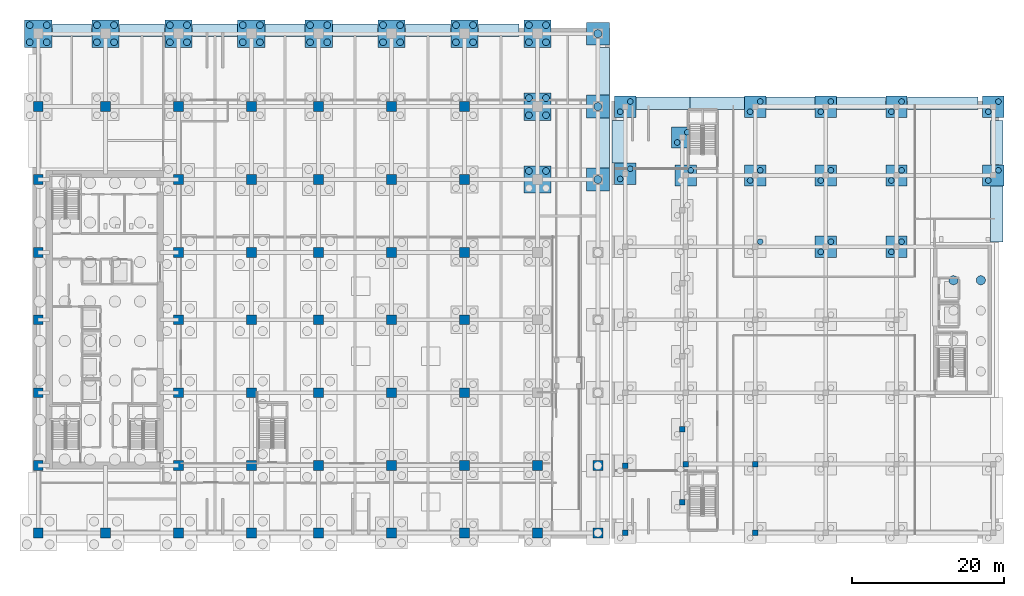
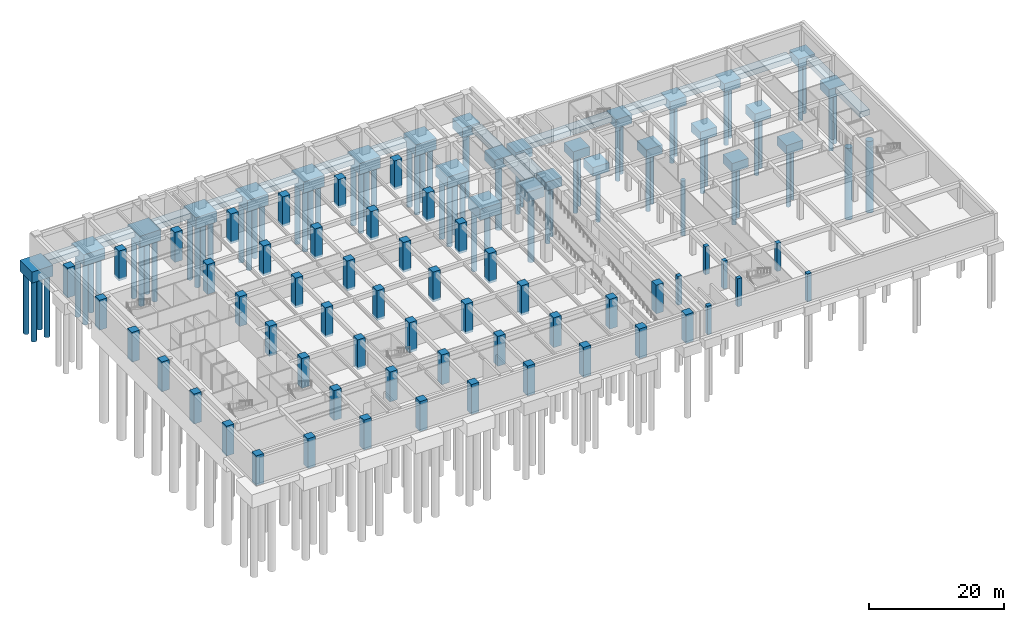
# One storey, part 3 of 20: 71 piles, 55 columns, 44 footings.
"""IFC4 building model written with IfcOpenShell, lengths in metres."""

from ifc_helpers import new_model, si_unit, direction, frame, origin, origin_2d, place, context, subcontext, project, spatial, rectangle, circle, extrude, material, material_profile, profile_set, type_object, element, save


model = new_model("IFC4")

# Units and contexts
model_context = context("Model", 3, precision=1e-05, world=origin(), true_north=direction((0.0, 1.0)))
body_context = subcontext(model_context, "Body", "Model", "MODEL_VIEW")
ifc_project = project(units=[si_unit("LENGTHUNIT", "METRE"), si_unit("AREAUNIT", "SQUARE_METRE"), si_unit("VOLUMEUNIT", "CUBIC_METRE"), si_unit("PLANEANGLEUNIT", "RADIAN"), si_unit("MASSUNIT", "GRAM", prefix="KILO")], contexts=[model_context])

# Site, building, storey
site_placement = place(None, origin())
site = spatial("IfcSite", under=ifc_project, at=site_placement, CompositionType="ELEMENT")
building_placement = place(site_placement, origin())
building = spatial("IfcBuilding", under=site, at=building_placement, Name="Norrvale University Quadrangle", CompositionType="ELEMENT")
storey_placement = place(building_placement, frame((0.0, 0.0, -5.0)))
storey = spatial("IfcBuildingStorey", under=building, at=storey_placement, Name="B01", CompositionType="ELEMENT", Elevation=-5.0)

# Footings
ifc_material_1 = material(Name="Concrete C50/60", Category="concrete")
footing_type_1 = type_object("IfcFootingType", Name="Footing Cap 3000x3000x1800", PredefinedType="PILE_CAP", material=ifc_material_1)
for number, where, z_axis, x_axis, name in (
    (1, (74.39990234375, 47.25, -2.22021484375), (0.0, 0.0, 1.0), (1.0, 0.0, 0.0), "Tower Pile Cap 060"),
    (2, (74.39990234375, 56.85009765625, -2.22021484375), (0.0, 0.0, 1.0), (1.0, 0.0, 0.0), "Tower Pile Cap 061"),
    (3, (74.39990234375, 66.449951171875, -2.22021484375), (0.0, 0.0, 1.0), (1.0, 0.0, 0.0), "Tower Pile Cap 062"),
):
    element("IfcFooting", number, at=place(storey_placement, frame(where, z_axis=z_axis, x_axis=x_axis)), inside=storey, type_object=footing_type_1, Name=name, PredefinedType="PILE_CAP", context=body_context, shape_type="SweptSolid", body=[
        extrude(rectangle(XDim=3.0, YDim=3.0, at=origin_2d()), origin(), (0.0, 0.0, 1.0), 1.800048828125),
    ])
footing_type_2 = type_object("IfcFootingType", Name="Footing Cap 3600x3600x2000", PredefinedType="PILE_CAP", material=ifc_material_1)
for number, where, z_axis, x_axis, name in (
    (4, (0.75, 66.449951171875, -2.419921875), (0.0, 0.0, 1.0), (1.0, 0.0, 0.0), "Tower Pile Cap 003"),
    (5, (9.60009765625, 66.449951171875, -2.419921875), (0.0, 0.0, 1.0), (1.0, 0.0, 0.0), "Tower Pile Cap 006"),
    (6, (19.199951171875, 66.449951171875, -2.419921875), (0.0, 0.0, 1.0), (1.0, 0.0, 0.0), "Tower Pile Cap 014"),
    (7, (28.800048828125, 66.449951171875, -2.419921875), (0.0, 0.0, 1.0), (1.0, 0.0, 0.0), "Tower Pile Cap 022"),
    (8, (37.64990234375, 66.449951171875, -2.419921875), (0.0, 0.0, 1.0), (1.0, 0.0, 0.0), "Tower Pile Cap 030"),
    (9, (47.25, 66.449951171875, -2.419921875), (0.0, 0.0, 1.0), (1.0, 0.0, 0.0), "Tower Pile Cap 038"),
    (10, (56.85009765625, 66.449951171875, -2.419921875), (0.0, 0.0, 1.0), (1.0, 0.0, 0.0), "Tower Pile Cap 046"),
    (11, (66.449951171875, 47.25, -2.419921875), (0.0, 0.0, 1.0), (1.0, 0.0, 0.0), "Tower Pile Cap 052"),
    (12, (66.449951171875, 56.85009765625, -2.419921875), (0.0, 0.0, 1.0), (1.0, 0.0, 0.0), "Tower Pile Cap 053"),
    (13, (66.449951171875, 66.449951171875, -2.419921875), (0.0, 0.0, 1.0), (1.0, 0.0, 0.0), "Tower Pile Cap 054"),
):
    element("IfcFooting", number, at=place(storey_placement, frame(where, z_axis=z_axis, x_axis=x_axis)), inside=storey, type_object=footing_type_2, Name=name, PredefinedType="PILE_CAP", context=body_context, shape_type="SweptSolid", body=[
        extrude(rectangle(XDim=3.60009765625, YDim=3.60009765625, at=origin_2d()), origin(), (0.0, 0.0, 1.0), 2.0),
    ])
footing_type_3 = type_object("IfcFootingType", Name="Footing Lib Cap 2800x2800", PredefinedType="PILE_CAP", material=ifc_material_1)
for number, where, z_axis, x_axis, name in (
    (14, (78.0, 48.0, -2.02001953125), (0.0, 0.0, 1.0), (1.0, 0.0, 0.0), "Library Pile Cap 068"),
    (15, (78.0, 56.85009765625, -2.02001953125), (0.0, 0.0, 1.0), (1.0, 0.0, 0.0), "Library Pile Cap 069"),
    (16, (85.5, 52.800048828125, -2.02001953125), (0.0, 0.0, 1.0), (1.0, 0.0, 0.0), "Library Pile Cap 075"),
    (17, (85.949951171875, 47.800048828125, -2.02001953125), (0.0, 0.0, 1.0), (1.0, 0.0, 0.0), "Library Pile Cap 080"),
    (18, (95.10009765625, 47.800048828125, -2.02001953125), (0.0, 0.0, 1.0), (1.0, 0.0, 0.0), "Library Pile Cap 086"),
    (19, (95.10009765625, 56.85009765625, -2.02001953125), (0.0, 0.0, 1.0), (1.0, 0.0, 0.0), "Library Pile Cap 087"),
    (20, (104.39990234375, 38.39990234375, -2.02001953125), (0.0, 0.0, 1.0), (1.0, 0.0, 0.0), "Library Pile Cap 092"),
    (21, (104.39990234375, 47.800048828125, -2.02001953125), (0.0, 0.0, 1.0), (1.0, 0.0, 0.0), "Library Pile Cap 093"),
    (22, (104.39990234375, 56.85009765625, -2.02001953125), (0.0, 0.0, 1.0), (1.0, 0.0, 0.0), "Library Pile Cap 094"),
    (23, (113.699951171875, 38.39990234375, -2.02001953125), (0.0, 0.0, 1.0), (1.0, 0.0, 0.0), "Library Pile Cap 099"),
    (24, (113.699951171875, 47.800048828125, -2.02001953125), (0.0, 0.0, 1.0), (1.0, 0.0, 0.0), "Library Pile Cap 100"),
    (25, (113.699951171875, 56.85009765625, -2.02001953125), (0.0, 0.0, 1.0), (1.0, 0.0, 0.0), "Library Pile Cap 101"),
    (26, (126.449951171875, 47.800048828125, -2.02001953125), (0.0, 0.0, 1.0), (1.0, 0.0, 0.0), "Library Pile Cap 104"),
    (27, (126.449951171875, 56.85009765625, -2.02001953125), (0.0, 0.0, 1.0), (1.0, 0.0, 0.0), "Library Pile Cap 105"),
):
    element("IfcFooting", number, at=place(storey_placement, frame(where, z_axis=z_axis, x_axis=x_axis)), inside=storey, type_object=footing_type_3, Name=name, PredefinedType="PILE_CAP", context=body_context, shape_type="SweptSolid", body=[
        extrude(rectangle(XDim=2.800048828125, YDim=2.800048828125, at=origin_2d()), origin(), (0.0, 0.0, 1.0), 1.60009765625),
    ])
footing_type_4 = type_object("IfcFootingType", Name="Footing Strip 1600x1000", PredefinedType="STRIP_FOOTING", material=ifc_material_1)
footing_1_placement = place(storey_placement, frame((5.18994140625, 66.89990234375, -1.419921875), z_axis=(0.0, 0.0, 1.0), x_axis=(1.0, 0.0, 0.0)))
element("IfcFooting", 28, at=footing_1_placement, inside=storey, type_object=footing_type_4, Name="Perimeter Strip Footing FS1-08", PredefinedType="STRIP_FOOTING", context=body_context, shape_type="SweptSolid", body=[
    extrude(rectangle(XDim=5.179931640625, YDim=1.60009765625, at=origin_2d()), origin(), (0.0, 0.0, 1.0), 1.0),
])
for number, where, z_axis, x_axis, name in (
    (29, (14.39990234375, 66.89990234375, -1.419921875), (0.0, 0.0, 1.0), (1.0, 0.0, 0.0), "Perimeter Strip Footing FS1-09"),
    (30, (24.0, 66.89990234375, -1.419921875), (0.0, 0.0, 1.0), (1.0, 0.0, 0.0), "Perimeter Strip Footing FS1-10"),
):
    element("IfcFooting", number, at=place(storey_placement, frame(where, z_axis=z_axis, x_axis=x_axis)), inside=storey, type_object=footing_type_4, Name=name, PredefinedType="STRIP_FOOTING", context=body_context, shape_type="SweptSolid", body=[
        extrude(rectangle(XDim=5.9599609375, YDim=1.60009765625, at=origin_2d()), origin(), (0.0, 0.0, 1.0), 1.0),
    ])
footing_2_placement = place(storey_placement, frame((33.22509765625, 66.89990234375, -1.419921875), z_axis=(0.0, 0.0, 1.0), x_axis=(1.0, 0.0, 0.0)))
element("IfcFooting", 31, at=footing_2_placement, inside=storey, type_object=footing_type_4, Name="Perimeter Strip Footing FS1-11", PredefinedType="STRIP_FOOTING", context=body_context, shape_type="SweptSolid", body=[
    extrude(rectangle(XDim=5.2099609375, YDim=1.60009765625, at=origin_2d()), origin(), (0.0, 0.0, 1.0), 1.0),
])
for number, where, z_axis, x_axis, name in (
    (32, (42.449951171875, 66.89990234375, -1.419921875), (0.0, 0.0, 1.0), (1.0, 0.0, 0.0), "Perimeter Strip Footing FS1-12"),
    (33, (52.050048828125, 66.89990234375, -1.419921875), (0.0, 0.0, 1.0), (1.0, 0.0, 0.0), "Perimeter Strip Footing FS1-13"),
):
    element("IfcFooting", number, at=place(storey_placement, frame(where, z_axis=z_axis, x_axis=x_axis)), inside=storey, type_object=footing_type_4, Name=name, PredefinedType="STRIP_FOOTING", context=body_context, shape_type="SweptSolid", body=[
        extrude(rectangle(XDim=5.9599609375, YDim=1.60009765625, at=origin_2d()), origin(), (0.0, 0.0, 1.0), 1.0),
    ])
footing_3_placement = place(storey_placement, frame((61.3349609375, 66.89990234375, -1.419921875), z_axis=(0.0, 0.0, 1.0), x_axis=(1.0, 0.0, 0.0)))
element("IfcFooting", 34, at=footing_3_placement, inside=storey, type_object=footing_type_4, Name="Perimeter Strip Footing FS1-14", PredefinedType="STRIP_FOOTING", context=body_context, shape_type="SweptSolid", body=[
    extrude(rectangle(XDim=5.330078125, YDim=1.60009765625, at=origin_2d()), origin(), (0.0, 0.0, 1.0), 1.0),
])
footing_4_placement = place(storey_placement, frame((75.14990234375, 52.050048828125, -1.419921875), z_axis=(0.0, 0.0, 1.0), x_axis=(0.0, 1.0, 0.0)))
element("IfcFooting", 35, at=footing_4_placement, inside=storey, type_object=footing_type_4, Name="Perimeter Strip Footing FS1-23", PredefinedType="STRIP_FOOTING", context=body_context, shape_type="SweptSolid", body=[
    extrude(rectangle(XDim=6.56005859375, YDim=1.60009765625, at=origin_2d()), origin(), (0.0, 0.0, 1.0), 1.0),
])
footing_5_placement = place(storey_placement, frame((75.14990234375, 61.485107421875, -1.419921875), z_axis=(0.0, 0.0, 1.0), x_axis=(0.0, 1.0, 0.0)))
element("IfcFooting", 36, at=footing_5_placement, inside=storey, type_object=footing_type_4, Name="Perimeter Strip Footing FS1-24", PredefinedType="STRIP_FOOTING", context=body_context, shape_type="SweptSolid", body=[
    extrude(rectangle(XDim=6.22998046875, YDim=1.60009765625, at=origin_2d()), origin(), (0.0, 0.0, 1.0), 1.0),
])
for number, where, z_axis, x_axis, name in (
    (37, (82.985107421875, 57.300048828125, -1.419921875), (0.0, 0.0, 1.0), (1.0, 0.0, 0.0), "Perimeter Strip Footing FS1-30"),
    (38, (90.114990234375, 57.300048828125, -1.419921875), (0.0, 0.0, 1.0), (1.0, 0.0, 0.0), "Perimeter Strip Footing FS1-31"),
):
    element("IfcFooting", number, at=place(storey_placement, frame(where, z_axis=z_axis, x_axis=x_axis)), inside=storey, type_object=footing_type_4, Name=name, PredefinedType="STRIP_FOOTING", context=body_context, shape_type="SweptSolid", body=[
        extrude(rectangle(XDim=7.1298828125, YDim=1.60009765625, at=origin_2d()), origin(), (0.0, 0.0, 1.0), 1.0),
    ])
for number, where, z_axis, x_axis, name in (
    (39, (99.75, 57.300048828125, -1.419921875), (0.0, 0.0, 1.0), (1.0, 0.0, 0.0), "Perimeter Strip Footing FS1-32"),
    (40, (109.050048828125, 57.300048828125, -1.419921875), (0.0, 0.0, 1.0), (1.0, 0.0, 0.0), "Perimeter Strip Footing FS1-33"),
):
    element("IfcFooting", number, at=place(storey_placement, frame(where, z_axis=z_axis, x_axis=x_axis)), inside=storey, type_object=footing_type_4, Name=name, PredefinedType="STRIP_FOOTING", context=body_context, shape_type="SweptSolid", body=[
        extrude(rectangle(XDim=6.4599609375, YDim=1.60009765625, at=origin_2d()), origin(), (0.0, 0.0, 1.0), 1.0),
    ])
footing_6_placement = place(storey_placement, frame((119.760009765625, 57.300048828125, -1.419921875), z_axis=(0.0, 0.0, 1.0), x_axis=(1.0, 0.0, 0.0)))
element("IfcFooting", 41, at=footing_6_placement, inside=storey, type_object=footing_type_4, Name="Perimeter Strip Footing FS1-34", PredefinedType="STRIP_FOOTING", context=body_context, shape_type="SweptSolid", body=[
    extrude(rectangle(XDim=9.280029296875, YDim=1.60009765625, at=origin_2d()), origin(), (0.0, 0.0, 1.0), 1.0),
])
footing_7_placement = place(storey_placement, frame((77.050048828125, 52.2099609375, -1.419921875), z_axis=(0.0, 0.0, 1.0), x_axis=(0.0, 1.0, 0.0)))
element("IfcFooting", 42, at=footing_7_placement, inside=storey, type_object=footing_type_4, Name="Perimeter Strip Footing FS1-40", PredefinedType="STRIP_FOOTING", context=body_context, shape_type="SweptSolid", body=[
    extrude(rectangle(XDim=5.580078125, YDim=1.60009765625, at=origin_2d()), origin(), (0.0, 0.0, 1.0), 1.0),
])
footing_8_placement = place(storey_placement, frame((126.89990234375, 42.699951171875, -1.419921875), z_axis=(0.0, 0.0, 1.0), x_axis=(0.0, 1.0, 0.0)))
element("IfcFooting", 43, at=footing_8_placement, inside=storey, type_object=footing_type_4, Name="Perimeter Strip Footing FS1-43", PredefinedType="STRIP_FOOTING", context=body_context, shape_type="SweptSolid", body=[
    extrude(rectangle(XDim=7.360107421875, YDim=1.60009765625, at=origin_2d()), origin(), (0.0, 0.0, 1.0), 1.0),
])
footing_9_placement = place(storey_placement, frame((126.89990234375, 52.110107421875, -1.419921875), z_axis=(0.0, 0.0, 1.0), x_axis=(0.0, 1.0, 0.0)))
element("IfcFooting", 44, at=footing_9_placement, inside=storey, type_object=footing_type_4, Name="Perimeter Strip Footing FS1-44", PredefinedType="STRIP_FOOTING", context=body_context, shape_type="SweptSolid", body=[
    extrude(rectangle(XDim=5.780029296875, YDim=1.60009765625, at=origin_2d()), origin(), (0.0, 0.0, 1.0), 1.0),
])

# Piles
ifc_material_profile_1 = material_profile(ifc_material_1, circle(Radius=0.52490234375, at=origin_2d()), Name="Concrete C50/60")
ifc_profile_set_1 = profile_set([ifc_material_profile_1], Name="Concrete C50/60")
pile_type_1 = type_object("IfcPileType", Name="Pile Caisson 1050", PredefinedType="BORED", material=ifc_profile_set_1)
for number, where, z_axis, x_axis, name in (
    (45, (74.39990234375, 47.25, -2.219970703125), (0.0, 0.0, -1.0), (1.0, 0.0, 0.0), "Tower Caisson Pile 270"),
    (46, (74.39990234375, 56.85009765625, -2.219970703125), (0.0, 0.0, -1.0), (1.0, 0.0, 0.0), "Tower Caisson Pile 271"),
    (47, (74.39990234375, 66.449951171875, -2.219970703125), (0.0, 0.0, -1.0), (1.0, 0.0, 0.0), "Tower Caisson Pile 272"),
):
    element("IfcPile", number, at=place(storey_placement, frame(where, z_axis=z_axis, x_axis=x_axis)), inside=storey, type_object=pile_type_1, Name=name, PredefinedType="BORED", context=body_context, shape_type="SweptSolid", body=[
        extrude(circle(Radius=0.52490234375, at=origin_2d()), origin(), (0.0, 0.0, 1.0), 12.0),
    ])
ifc_material_profile_2 = material_profile(ifc_material_1, circle(Radius=0.60009765625, at=origin_2d()), Name="Concrete C50/60")
ifc_profile_set_2 = profile_set([ifc_material_profile_2], Name="Concrete C50/60")
pile_type_2 = type_object("IfcPileType", Name="Pile Caisson 1200", PredefinedType="BORED", material=ifc_profile_set_2)
for number, where, z_axis, x_axis, name in (
    (48, (121.199951171875, 34.0, -1.800048828125), (0.0, 0.0, -1.0), (1.0, 0.0, 0.0), "Library Core Caisson Pile P02-044"),
    (49, (124.800048828125, 34.0, -1.800048828125), (0.0, 0.0, -1.0), (1.0, 0.0, 0.0), "Library Core Caisson Pile P02-048"),
):
    element("IfcPile", number, at=place(storey_placement, frame(where, z_axis=z_axis, x_axis=x_axis)), inside=storey, type_object=pile_type_2, Name=name, PredefinedType="BORED", context=body_context, shape_type="SweptSolid", body=[
        extrude(circle(Radius=0.60009765625, at=origin_2d()), origin(), (0.0, 0.0, 1.0), 13.0),
    ])
ifc_material_profile_3 = material_profile(ifc_material_1, circle(Radius=0.449951171875, at=origin_2d()), Name="Concrete C50/60")
ifc_profile_set_3 = profile_set([ifc_material_profile_3], Name="Concrete C50/60")
pile_type_3 = type_object("IfcPileType", Name="Pile Caisson 900", PredefinedType="BORED", material=ifc_profile_set_3)
for number, where, z_axis, x_axis, name in (
    (50, (-0.375, 65.324951171875, -2.419921875), (0.0, 0.0, -1.0), (1.0, 0.0, 0.0), "Tower Caisson Pile 057"),
    (51, (1.875, 65.324951171875, -2.419921875), (0.0, 0.0, -1.0), (1.0, 0.0, 0.0), "Tower Caisson Pile 058"),
    (52, (-0.375, 67.574951171875, -2.419921875), (0.0, 0.0, -1.0), (1.0, 0.0, 0.0), "Tower Caisson Pile 059"),
    (53, (1.875, 67.574951171875, -2.419921875), (0.0, 0.0, -1.0), (1.0, 0.0, 0.0), "Tower Caisson Pile 060"),
    (54, (8.47509765625, 65.324951171875, -2.419921875), (0.0, 0.0, -1.0), (1.0, 0.0, 0.0), "Tower Caisson Pile 069"),
    (55, (10.72509765625, 65.324951171875, -2.419921875), (0.0, 0.0, -1.0), (1.0, 0.0, 0.0), "Tower Caisson Pile 070"),
    (56, (8.47509765625, 67.574951171875, -2.419921875), (0.0, 0.0, -1.0), (1.0, 0.0, 0.0), "Tower Caisson Pile 071"),
    (57, (10.72509765625, 67.574951171875, -2.419921875), (0.0, 0.0, -1.0), (1.0, 0.0, 0.0), "Tower Caisson Pile 072"),
    (58, (18.074951171875, 65.324951171875, -2.419921875), (0.0, 0.0, -1.0), (1.0, 0.0, 0.0), "Tower Caisson Pile 101"),
    (59, (20.324951171875, 65.324951171875, -2.419921875), (0.0, 0.0, -1.0), (1.0, 0.0, 0.0), "Tower Caisson Pile 102"),
    (60, (18.074951171875, 67.574951171875, -2.419921875), (0.0, 0.0, -1.0), (1.0, 0.0, 0.0), "Tower Caisson Pile 103"),
    (61, (20.324951171875, 67.574951171875, -2.419921875), (0.0, 0.0, -1.0), (1.0, 0.0, 0.0), "Tower Caisson Pile 104"),
    (62, (27.675048828125, 65.324951171875, -2.419921875), (0.0, 0.0, -1.0), (1.0, 0.0, 0.0), "Tower Caisson Pile 133"),
    (63, (29.925048828125, 65.324951171875, -2.419921875), (0.0, 0.0, -1.0), (1.0, 0.0, 0.0), "Tower Caisson Pile 134"),
    (64, (27.675048828125, 67.574951171875, -2.419921875), (0.0, 0.0, -1.0), (1.0, 0.0, 0.0), "Tower Caisson Pile 135"),
    (65, (29.925048828125, 67.574951171875, -2.419921875), (0.0, 0.0, -1.0), (1.0, 0.0, 0.0), "Tower Caisson Pile 136"),
    (66, (36.52490234375, 65.324951171875, -2.419921875), (0.0, 0.0, -1.0), (1.0, 0.0, 0.0), "Tower Caisson Pile 165"),
    (67, (38.77490234375, 65.324951171875, -2.419921875), (0.0, 0.0, -1.0), (1.0, 0.0, 0.0), "Tower Caisson Pile 166"),
    (68, (36.52490234375, 67.574951171875, -2.419921875), (0.0, 0.0, -1.0), (1.0, 0.0, 0.0), "Tower Caisson Pile 167"),
    (69, (38.77490234375, 67.574951171875, -2.419921875), (0.0, 0.0, -1.0), (1.0, 0.0, 0.0), "Tower Caisson Pile 168"),
    (70, (46.125, 65.324951171875, -2.419921875), (0.0, 0.0, -1.0), (1.0, 0.0, 0.0), "Tower Caisson Pile 197"),
    (71, (48.375, 65.324951171875, -2.419921875), (0.0, 0.0, -1.0), (1.0, 0.0, 0.0), "Tower Caisson Pile 198"),
    (72, (46.125, 67.574951171875, -2.419921875), (0.0, 0.0, -1.0), (1.0, 0.0, 0.0), "Tower Caisson Pile 199"),
    (73, (48.375, 67.574951171875, -2.419921875), (0.0, 0.0, -1.0), (1.0, 0.0, 0.0), "Tower Caisson Pile 200"),
    (74, (55.72509765625, 65.324951171875, -2.419921875), (0.0, 0.0, -1.0), (1.0, 0.0, 0.0), "Tower Caisson Pile 229"),
    (75, (57.97509765625, 65.324951171875, -2.419921875), (0.0, 0.0, -1.0), (1.0, 0.0, 0.0), "Tower Caisson Pile 230"),
    (76, (55.72509765625, 67.574951171875, -2.419921875), (0.0, 0.0, -1.0), (1.0, 0.0, 0.0), "Tower Caisson Pile 231"),
    (77, (57.97509765625, 67.574951171875, -2.419921875), (0.0, 0.0, -1.0), (1.0, 0.0, 0.0), "Tower Caisson Pile 232"),
    (78, (65.324951171875, 48.375, -2.419921875), (0.0, 0.0, -1.0), (1.0, 0.0, 0.0), "Tower Caisson Pile 255"),
    (79, (67.574951171875, 48.375, -2.419921875), (0.0, 0.0, -1.0), (1.0, 0.0, 0.0), "Tower Caisson Pile 256"),
    (80, (65.324951171875, 55.72509765625, -2.419921875), (0.0, 0.0, -1.0), (1.0, 0.0, 0.0), "Tower Caisson Pile 257"),
    (81, (67.574951171875, 55.72509765625, -2.419921875), (0.0, 0.0, -1.0), (1.0, 0.0, 0.0), "Tower Caisson Pile 258"),
    (82, (65.324951171875, 57.97509765625, -2.419921875), (0.0, 0.0, -1.0), (1.0, 0.0, 0.0), "Tower Caisson Pile 259"),
    (83, (67.574951171875, 57.97509765625, -2.419921875), (0.0, 0.0, -1.0), (1.0, 0.0, 0.0), "Tower Caisson Pile 260"),
    (84, (65.324951171875, 65.324951171875, -2.419921875), (0.0, 0.0, -1.0), (1.0, 0.0, 0.0), "Tower Caisson Pile 261"),
    (85, (67.574951171875, 65.324951171875, -2.419921875), (0.0, 0.0, -1.0), (1.0, 0.0, 0.0), "Tower Caisson Pile 262"),
    (86, (65.324951171875, 67.574951171875, -2.419921875), (0.0, 0.0, -1.0), (1.0, 0.0, 0.0), "Tower Caisson Pile 263"),
    (87, (67.574951171875, 67.574951171875, -2.419921875), (0.0, 0.0, -1.0), (1.0, 0.0, 0.0), "Tower Caisson Pile 264"),
):
    element("IfcPile", number, at=place(storey_placement, frame(where, z_axis=z_axis, x_axis=x_axis)), inside=storey, type_object=pile_type_3, Name=name, PredefinedType="BORED", context=body_context, shape_type="SweptSolid", body=[
        extrude(circle(Radius=0.449951171875, at=origin_2d()), origin(), (0.0, 0.0, 1.0), 11.0),
    ])
ifc_material_profile_4 = material_profile(ifc_material_1, circle(Radius=0.375, at=origin_2d()), Name="Concrete C50/60")
ifc_profile_set_4 = profile_set([ifc_material_profile_4], Name="Concrete C50/60")
pile_type_4 = type_object("IfcPileType", Name="Pile Lib Bored 750", PredefinedType="BORED", material=ifc_profile_set_4)
for number, where, z_axis, x_axis, name in (
    (88, (77.330078125, 47.330078125, -2.02001953125), (0.0, 0.0, -1.0), (1.0, 0.0, 0.0), "Library Bored Pile 283"),
    (89, (78.669921875, 48.669921875, -2.02001953125), (0.0, 0.0, -1.0), (1.0, 0.0, 0.0), "Library Bored Pile 284"),
    (90, (77.330078125, 56.179931640625, -2.02001953125), (0.0, 0.0, -1.0), (1.0, 0.0, 0.0), "Library Bored Pile 285"),
    (91, (78.669921875, 57.52001953125, -2.02001953125), (0.0, 0.0, -1.0), (1.0, 0.0, 0.0), "Library Bored Pile 286"),
    (92, (84.830078125, 52.1298828125, -2.02001953125), (0.0, 0.0, -1.0), (1.0, 0.0, 0.0), "Library Bored Pile 297"),
    (93, (86.169921875, 53.469970703125, -2.02001953125), (0.0, 0.0, -1.0), (1.0, 0.0, 0.0), "Library Bored Pile 298"),
    (94, (86.6201171875, 48.469970703125, -2.02001953125), (0.0, 0.0, -1.0), (1.0, 0.0, 0.0), "Library Bored Pile 308"),
    (95, (95.77001953125, 39.070068359375, -2.02001953125), (0.0, 0.0, -1.0), (1.0, 0.0, 0.0), "Library Bored Pile 318"),
    (96, (94.429931640625, 47.1298828125, -2.02001953125), (0.0, 0.0, -1.0), (1.0, 0.0, 0.0), "Library Bored Pile 319"),
    (97, (95.77001953125, 48.469970703125, -2.02001953125), (0.0, 0.0, -1.0), (1.0, 0.0, 0.0), "Library Bored Pile 320"),
    (98, (94.429931640625, 56.179931640625, -2.02001953125), (0.0, 0.0, -1.0), (1.0, 0.0, 0.0), "Library Bored Pile 321"),
    (99, (95.77001953125, 57.52001953125, -2.02001953125), (0.0, 0.0, -1.0), (1.0, 0.0, 0.0), "Library Bored Pile 322"),
    (100, (103.72998046875, 37.72998046875, -2.02001953125), (0.0, 0.0, -1.0), (1.0, 0.0, 0.0), "Library Bored Pile 331"),
    (101, (105.070068359375, 39.070068359375, -2.02001953125), (0.0, 0.0, -1.0), (1.0, 0.0, 0.0), "Library Bored Pile 332"),
    (102, (103.72998046875, 47.1298828125, -2.02001953125), (0.0, 0.0, -1.0), (1.0, 0.0, 0.0), "Library Bored Pile 333"),
    (103, (105.070068359375, 48.469970703125, -2.02001953125), (0.0, 0.0, -1.0), (1.0, 0.0, 0.0), "Library Bored Pile 334"),
    (104, (103.72998046875, 56.179931640625, -2.02001953125), (0.0, 0.0, -1.0), (1.0, 0.0, 0.0), "Library Bored Pile 335"),
    (105, (105.070068359375, 57.52001953125, -2.02001953125), (0.0, 0.0, -1.0), (1.0, 0.0, 0.0), "Library Bored Pile 336"),
    (106, (113.030029296875, 37.72998046875, -2.02001953125), (0.0, 0.0, -1.0), (1.0, 0.0, 0.0), "Library Bored Pile 345"),
    (107, (114.3701171875, 39.070068359375, -2.02001953125), (0.0, 0.0, -1.0), (1.0, 0.0, 0.0), "Library Bored Pile 346"),
    (108, (113.030029296875, 47.1298828125, -2.02001953125), (0.0, 0.0, -1.0), (1.0, 0.0, 0.0), "Library Bored Pile 347"),
    (109, (114.3701171875, 48.469970703125, -2.02001953125), (0.0, 0.0, -1.0), (1.0, 0.0, 0.0), "Library Bored Pile 348"),
    (110, (113.030029296875, 56.179931640625, -2.02001953125), (0.0, 0.0, -1.0), (1.0, 0.0, 0.0), "Library Bored Pile 349"),
    (111, (114.3701171875, 57.52001953125, -2.02001953125), (0.0, 0.0, -1.0), (1.0, 0.0, 0.0), "Library Bored Pile 350"),
    (112, (125.780029296875, 47.1298828125, -2.02001953125), (0.0, 0.0, -1.0), (1.0, 0.0, 0.0), "Library Bored Pile 355"),
    (113, (127.1201171875, 48.469970703125, -2.02001953125), (0.0, 0.0, -1.0), (1.0, 0.0, 0.0), "Library Bored Pile 356"),
    (114, (125.780029296875, 56.179931640625, -2.02001953125), (0.0, 0.0, -1.0), (1.0, 0.0, 0.0), "Library Bored Pile 357"),
    (115, (127.1201171875, 57.52001953125, -2.02001953125), (0.0, 0.0, -1.0), (1.0, 0.0, 0.0), "Library Bored Pile 358"),
):
    element("IfcPile", number, at=place(storey_placement, frame(where, z_axis=z_axis, x_axis=x_axis)), inside=storey, type_object=pile_type_4, Name=name, PredefinedType="BORED", context=body_context, shape_type="SweptSolid", body=[
        extrude(circle(Radius=0.375, at=origin_2d()), origin(), (0.0, 0.0, 1.0), 10.0),
    ])

# Columns
ifc_material_2 = material(Name="Concrete C80/95", Category="concrete")
ifc_material_profile_5 = material_profile(ifc_material_2, rectangle(XDim=1.300048828125, YDim=1.300048828125, at=origin_2d()), Name="Concrete C80/95")
ifc_profile_set_5 = profile_set([ifc_material_profile_5], Name="Concrete C80/95")
column_type_1 = type_object("IfcColumnType", Name="Column Basement 1300x1300", PredefinedType="COLUMN", material=ifc_profile_set_5)
for number, where, z_axis, x_axis, name in (
    (116, (0.75, 0.75, -0.419921875), (0.0, 0.0, 1.0), (1.0, 0.0, 0.0), "Tower Column B01-T01"),
    (117, (0.75, 9.60009765625, -0.419921875), (0.0, 0.0, 1.0), (1.0, 0.0, 0.0), "Tower Column B01-T02"),
    (118, (0.75, 19.199951171875, -0.419921875), (0.0, 0.0, 1.0), (1.0, 0.0, 0.0), "Tower Column B01-T03"),
    (119, (0.75, 28.800048828125, -0.419921875), (0.0, 0.0, 1.0), (1.0, 0.0, 0.0), "Tower Column B01-T04"),
    (120, (0.75, 37.64990234375, -0.419921875), (0.0, 0.0, 1.0), (1.0, 0.0, 0.0), "Tower Column B01-T05"),
    (121, (0.75, 47.25, -0.419921875), (0.0, 0.0, 1.0), (1.0, 0.0, 0.0), "Tower Column B01-T06"),
    (122, (0.75, 56.85009765625, -0.419921875), (0.0, 0.0, 1.0), (1.0, 0.0, 0.0), "Tower Column B01-T07"),
    (123, (9.60009765625, 0.75, -0.419921875), (0.0, 0.0, 1.0), (1.0, 0.0, 0.0), "Tower Column B01-T09"),
    (124, (9.60009765625, 56.85009765625, -0.419921875), (0.0, 0.0, 1.0), (1.0, 0.0, 0.0), "Tower Column B01-T10"),
    (125, (19.199951171875, 0.75, -0.419921875), (0.0, 0.0, 1.0), (1.0, 0.0, 0.0), "Tower Column B01-T12"),
    (126, (19.199951171875, 9.60009765625, -0.419921875), (0.0, 0.0, 1.0), (1.0, 0.0, 0.0), "Tower Column B01-T13"),
    (127, (19.199951171875, 19.199951171875, -0.419921875), (0.0, 0.0, 1.0), (1.0, 0.0, 0.0), "Tower Column B01-T14"),
    (128, (19.199951171875, 28.800048828125, -0.419921875), (0.0, 0.0, 1.0), (1.0, 0.0, 0.0), "Tower Column B01-T15"),
    (129, (19.199951171875, 37.64990234375, -0.419921875), (0.0, 0.0, 1.0), (1.0, 0.0, 0.0), "Tower Column B01-T16"),
    (130, (19.199951171875, 47.25, -0.419921875), (0.0, 0.0, 1.0), (1.0, 0.0, 0.0), "Tower Column B01-T17"),
    (131, (19.199951171875, 56.85009765625, -0.419921875), (0.0, 0.0, 1.0), (1.0, 0.0, 0.0), "Tower Column B01-T18"),
    (132, (28.800048828125, 0.75, -0.419921875), (0.0, 0.0, 1.0), (1.0, 0.0, 0.0), "Tower Column B01-T20"),
    (133, (28.800048828125, 9.60009765625, -0.419921875), (0.0, 0.0, 1.0), (1.0, 0.0, 0.0), "Tower Column B01-T21"),
    (134, (28.800048828125, 19.199951171875, -0.419921875), (0.0, 0.0, 1.0), (1.0, 0.0, 0.0), "Tower Column B01-T22"),
    (135, (28.800048828125, 28.800048828125, -0.419921875), (0.0, 0.0, 1.0), (1.0, 0.0, 0.0), "Tower Column B01-T23"),
    (136, (28.800048828125, 37.64990234375, -0.419921875), (0.0, 0.0, 1.0), (1.0, 0.0, 0.0), "Tower Column B01-T24"),
    (137, (28.800048828125, 47.25, -0.419921875), (0.0, 0.0, 1.0), (1.0, 0.0, 0.0), "Tower Column B01-T25"),
    (138, (28.800048828125, 56.85009765625, -0.419921875), (0.0, 0.0, 1.0), (1.0, 0.0, 0.0), "Tower Column B01-T26"),
    (139, (37.64990234375, 0.75, -0.419921875), (0.0, 0.0, 1.0), (1.0, 0.0, 0.0), "Tower Column B01-T28"),
    (140, (37.64990234375, 9.60009765625, -0.419921875), (0.0, 0.0, 1.0), (1.0, 0.0, 0.0), "Tower Column B01-T29"),
    (141, (37.64990234375, 19.199951171875, -0.419921875), (0.0, 0.0, 1.0), (1.0, 0.0, 0.0), "Tower Column B01-T30"),
    (142, (37.64990234375, 28.800048828125, -0.419921875), (0.0, 0.0, 1.0), (1.0, 0.0, 0.0), "Tower Column B01-T31"),
    (143, (37.64990234375, 37.64990234375, -0.419921875), (0.0, 0.0, 1.0), (1.0, 0.0, 0.0), "Tower Column B01-T32"),
    (144, (37.64990234375, 47.25, -0.419921875), (0.0, 0.0, 1.0), (1.0, 0.0, 0.0), "Tower Column B01-T33"),
    (145, (37.64990234375, 56.85009765625, -0.419921875), (0.0, 0.0, 1.0), (1.0, 0.0, 0.0), "Tower Column B01-T34"),
    (146, (47.25, 0.75, -0.419921875), (0.0, 0.0, 1.0), (1.0, 0.0, 0.0), "Tower Column B01-T36"),
    (147, (47.25, 9.60009765625, -0.419921875), (0.0, 0.0, 1.0), (1.0, 0.0, 0.0), "Tower Column B01-T37"),
    (148, (47.25, 19.199951171875, -0.419921875), (0.0, 0.0, 1.0), (1.0, 0.0, 0.0), "Tower Column B01-T38"),
    (149, (47.25, 28.800048828125, -0.419921875), (0.0, 0.0, 1.0), (1.0, 0.0, 0.0), "Tower Column B01-T39"),
    (150, (47.25, 37.64990234375, -0.419921875), (0.0, 0.0, 1.0), (1.0, 0.0, 0.0), "Tower Column B01-T40"),
):
    element("IfcColumn", number, at=place(storey_placement, frame(where, z_axis=z_axis, x_axis=x_axis)), inside=storey, type_object=column_type_1, Name=name, PredefinedType="COLUMN", context=body_context, shape_type="SweptSolid", body=[
        extrude(rectangle(XDim=1.300048828125, YDim=1.300048828125, at=origin_2d()), origin(), (0.0, 0.0, 1.0), 5.419921875),
    ])
for number, where, z_axis, x_axis, name in (
    (151, (47.25, 47.25, -0.419921875), (0.0, 0.0, 1.0), (1.0, 0.0, 0.0), "Tower Column B01-T41"),
    (152, (47.25, 56.85009765625, -0.419921875), (0.0, 0.0, 1.0), (1.0, 0.0, 0.0), "Tower Column B01-T42"),
):
    element("IfcColumn", number, at=place(storey_placement, frame(where, z_axis=z_axis, x_axis=x_axis)), inside=storey, type_object=column_type_1, Name=name, PredefinedType="COLUMN", context=body_context, shape_type="SweptSolid", body=[
        extrude(rectangle(XDim=1.300048828125, YDim=1.300048828125, at=origin_2d()), origin(), (0.0, 0.0, 1.0), 5.199951171875),
    ])
for number, where, z_axis, x_axis, name in (
    (153, (56.85009765625, 0.75, -0.419921875), (0.0, 0.0, 1.0), (1.0, 0.0, 0.0), "Tower Column B01-T44"),
    (154, (56.85009765625, 9.60009765625, -0.419921875), (0.0, 0.0, 1.0), (1.0, 0.0, 0.0), "Tower Column B01-T45"),
    (155, (56.85009765625, 19.199951171875, -0.419921875), (0.0, 0.0, 1.0), (1.0, 0.0, 0.0), "Tower Column B01-T46"),
    (156, (56.85009765625, 28.800048828125, -0.419921875), (0.0, 0.0, 1.0), (1.0, 0.0, 0.0), "Tower Column B01-T47"),
    (157, (56.85009765625, 37.64990234375, -0.419921875), (0.0, 0.0, 1.0), (1.0, 0.0, 0.0), "Tower Column B01-T48"),
):
    element("IfcColumn", number, at=place(storey_placement, frame(where, z_axis=z_axis, x_axis=x_axis)), inside=storey, type_object=column_type_1, Name=name, PredefinedType="COLUMN", context=body_context, shape_type="SweptSolid", body=[
        extrude(rectangle(XDim=1.300048828125, YDim=1.300048828125, at=origin_2d()), origin(), (0.0, 0.0, 1.0), 5.419921875),
    ])
for number, where, z_axis, x_axis, name in (
    (158, (56.85009765625, 47.25, -0.419921875), (0.0, 0.0, 1.0), (1.0, 0.0, 0.0), "Tower Column B01-T49"),
    (159, (56.85009765625, 56.85009765625, -0.419921875), (0.0, 0.0, 1.0), (1.0, 0.0, 0.0), "Tower Column B01-T50"),
):
    element("IfcColumn", number, at=place(storey_placement, frame(where, z_axis=z_axis, x_axis=x_axis)), inside=storey, type_object=column_type_1, Name=name, PredefinedType="COLUMN", context=body_context, shape_type="SweptSolid", body=[
        extrude(rectangle(XDim=1.300048828125, YDim=1.300048828125, at=origin_2d()), origin(), (0.0, 0.0, 1.0), 5.199951171875),
    ])
for number, where, z_axis, x_axis, name in (
    (160, (66.449951171875, 0.75, -0.419921875), (0.0, 0.0, 1.0), (1.0, 0.0, 0.0), "Tower Column B01-T52"),
    (161, (66.449951171875, 9.60009765625, -0.419921875), (0.0, 0.0, 1.0), (1.0, 0.0, 0.0), "Tower Column B01-T53"),
):
    element("IfcColumn", number, at=place(storey_placement, frame(where, z_axis=z_axis, x_axis=x_axis)), inside=storey, type_object=column_type_1, Name=name, PredefinedType="COLUMN", context=body_context, shape_type="SweptSolid", body=[
        extrude(rectangle(XDim=1.300048828125, YDim=1.300048828125, at=origin_2d()), origin(), (0.0, 0.0, 1.0), 5.419921875),
    ])
for number, where, z_axis, x_axis, name in (
    (162, (74.39990234375, 0.75, -0.419921875), (0.0, 0.0, 1.0), (1.0, 0.0, 0.0), "Tower Column B01-T60"),
    (163, (74.39990234375, 9.60009765625, -0.419921875), (0.0, 0.0, 1.0), (1.0, 0.0, 0.0), "Tower Column B01-T61"),
):
    element("IfcColumn", number, at=place(storey_placement, frame(where, z_axis=z_axis, x_axis=x_axis)), inside=storey, type_object=column_type_1, Name=name, PredefinedType="COLUMN", context=body_context, shape_type="SweptSolid", body=[
        extrude(rectangle(XDim=1.300048828125, YDim=1.300048828125, at=origin_2d()), origin(), (0.0, 0.0, 1.0), 5.199951171875),
    ])
ifc_material_3 = material(Name="Concrete C60/75", Category="concrete")
ifc_material_profile_6 = material_profile(ifc_material_3, rectangle(XDim=0.699951171875, YDim=0.699951171875, at=origin_2d()), Name="Concrete C60/75")
ifc_profile_set_6 = profile_set([ifc_material_profile_6], Name="Concrete C60/75")
column_type_2 = type_object("IfcColumnType", Name="Column Lib 700x700", PredefinedType="COLUMN", material=ifc_profile_set_6)
for number, where, z_axis, x_axis, name in (
    (164, (78.0, 0.75, -0.419921875), (0.0, 0.0, 1.0), (1.0, 0.0, 0.0), "Library Column B01-L01"),
    (165, (78.0, 9.60009765625, -0.419921875), (0.0, 0.0, 1.0), (1.0, 0.0, 0.0), "Library Column B01-L02"),
):
    element("IfcColumn", number, at=place(storey_placement, frame(where, z_axis=z_axis, x_axis=x_axis)), inside=storey, type_object=column_type_2, Name=name, PredefinedType="COLUMN", context=body_context, shape_type="SweptSolid", body=[
        extrude(rectangle(XDim=0.699951171875, YDim=0.699951171875, at=origin_2d()), origin(), (0.0, 0.0, 1.0), 5.199951171875),
    ])
for number, where, z_axis, x_axis, name in (
    (166, (85.5, 4.800048828125, -0.419921875), (0.0, 0.0, 1.0), (1.0, 0.0, 0.0), "Library Column B01-L08"),
    (167, (85.5, 14.39990234375, -0.419921875), (0.0, 0.0, 1.0), (1.0, 0.0, 0.0), "Library Column B01-L09"),
    (168, (85.949951171875, 9.800048828125, -0.419921875), (0.0, 0.0, 1.0), (1.0, 0.0, 0.0), "Library Column B01-L14"),
    (169, (95.10009765625, 0.75, -0.419921875), (0.0, 0.0, 1.0), (1.0, 0.0, 0.0), "Library Column B01-L19"),
    (170, (95.10009765625, 9.800048828125, -0.419921875), (0.0, 0.0, 1.0), (1.0, 0.0, 0.0), "Library Column B01-L20"),
):
    element("IfcColumn", number, at=place(storey_placement, frame(where, z_axis=z_axis, x_axis=x_axis)), inside=storey, type_object=column_type_2, Name=name, PredefinedType="COLUMN", context=body_context, shape_type="SweptSolid", body=[
        extrude(rectangle(XDim=0.699951171875, YDim=0.699951171875, at=origin_2d()), origin(), (0.0, 0.0, 1.0), 5.06982421875),
    ])

save(model, "model.ifc")
